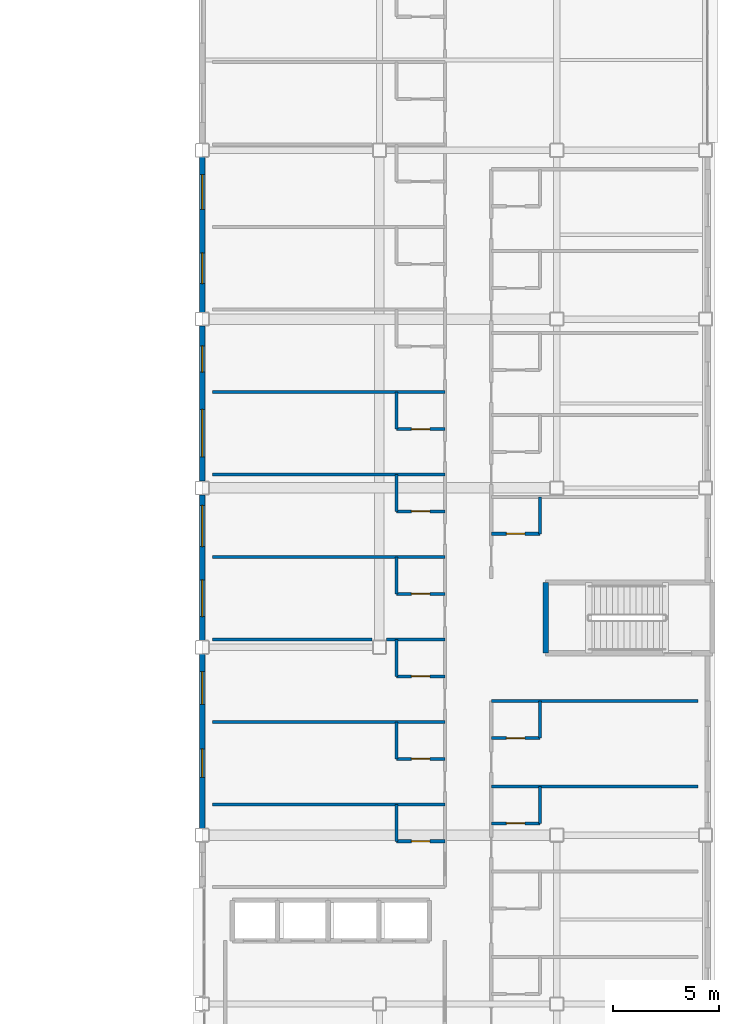
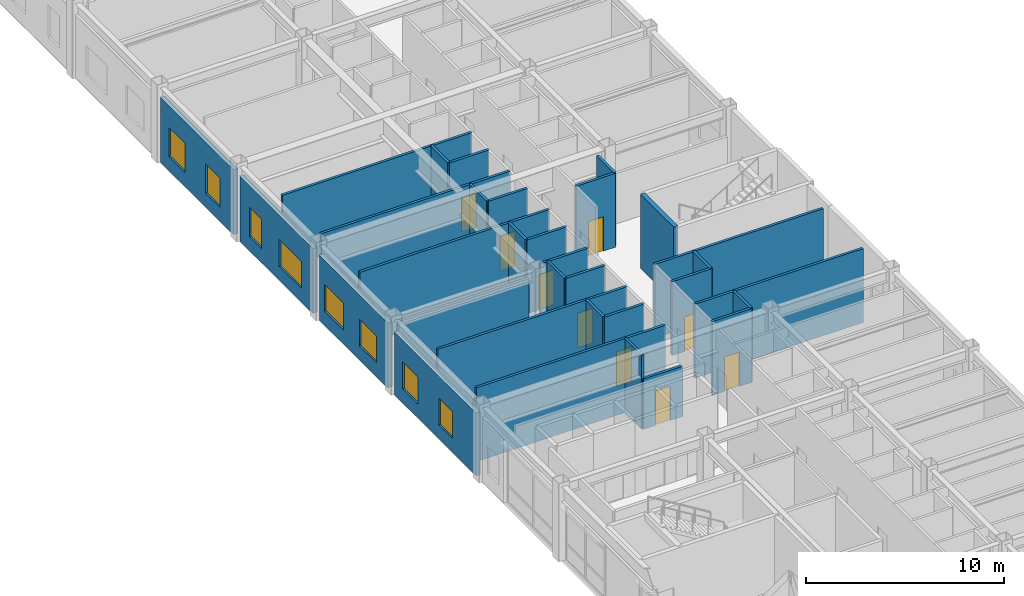
# One storey, part 79 of 93: 32 walls, 9 doors, 8 windows, 17 openings.
"""IFC4 building model written with IfcOpenShell, lengths in metres."""

from ifc_helpers import new_model, si_unit, direction, frame, frame_2d, origin, place, context, subcontext, project, spatial, rectangle, extrude, material, layer, layer_set, type_object, element, fill, save


model = new_model("IFC4")

# Units and contexts
model_context = context("Model", 3, precision=1e-05, world=origin(), true_north=direction((0.0, 1.0)))
body_context = subcontext(model_context, "Body", "Model", "MODEL_VIEW")
ifc_project = project(units=[si_unit("LENGTHUNIT", "METRE"), si_unit("AREAUNIT", "SQUARE_METRE"), si_unit("VOLUMEUNIT", "CUBIC_METRE"), si_unit("PLANEANGLEUNIT", "RADIAN"), si_unit("MASSUNIT", "GRAM", prefix="KILO")], contexts=[model_context])

# Site, building, storey
site_placement = place(None, origin())
site = spatial("IfcSite", under=ifc_project, at=site_placement, CompositionType="ELEMENT")
building_placement = place(site_placement, origin())
building = spatial("IfcBuilding", under=site, at=building_placement, Name="Kazehara Bluff Congress Hotel", CompositionType="ELEMENT")
storey_placement = place(building_placement, frame((0.0, 0.0, 15.0)))
storey = spatial("IfcBuildingStorey", under=building, at=storey_placement, Name="L03", CompositionType="ELEMENT", Elevation=15.0)

# Wall
ifc_material_1 = material(Name="Concrete C40/50", Category="concrete")
ifc_layer_1 = layer(ifc_material_1, 0.25)
ifc_layer_set_1 = layer_set([ifc_layer_1], Name="Concrete C40/50")
wall_type_1 = type_object("IfcWallType", Name="TP-CW-RC", PredefinedType="SHEAR", material=ifc_layer_set_1)
wall_1_placement = place(storey_placement, frame((159.97509765625, 73.074951171875, 0.0), z_axis=(0.0, 0.0, 1.0), x_axis=(0.0, 1.0, 0.0)))
element("IfcWall", 1, at=wall_1_placement, inside=storey, type_object=wall_type_1, Name="L03 ST-12 core wall far", PredefinedType="SHEAR", context=body_context, shape_type="SweptSolid", body=[
    extrude(rectangle(XDim=3.35009765625, YDim=0.25, at=frame_2d((1.675048828125, 0.0))), origin(), (0.0, 0.0, 1.0), 4.56005859375),
])

# Wall, openings, windows
ifc_material_2 = material(Name="Precast concrete C40/50", Category="concrete")
ifc_layer_2 = layer(ifc_material_2, 0.260009765625)
ifc_layer_set_2 = layer_set([ifc_layer_2], Name="Precast concrete C40/50")
wall_type_2 = type_object("IfcWallType", Name="TP-EW-260", PredefinedType="SOLIDWALL", material=ifc_layer_set_2)
wall_2_placement = place(storey_placement, frame((143.699951171875, 64.77490234375, 0.0), z_axis=(0.0, 0.0, 1.0), x_axis=(0.0, 1.0, 0.0)))
wall_2 = element("IfcWall", 2, at=wall_2_placement, inside=storey, type_object=wall_type_2, Name="L03 hotel facade panel 18", PredefinedType="SOLIDWALL", context=body_context, shape_type="SweptSolid", body=[
    extrude(rectangle(XDim=8.25, YDim=0.260009765625, at=frame_2d((4.125, 0.0))), origin(), (0.0, 0.0, 1.0), 3.8349609375),
])
opening_1_placement = place(wall_2_placement, frame((2.409912109375, 0.0, 0.85009765625)))
opening_1 = element("IfcOpeningElement", 3, at=opening_1_placement, cuts=wall_2, Name="Opening WN-13", PredefinedType="OPENING", context=body_context, shape_type="SweptSolid", body=[
    extrude(rectangle(XDim=1.35009765625, YDim=1.64990234375, at=frame_2d((0.675048828125, 0.824951171875))), frame((0.0, 0.139892578125, 0.0), z_axis=(0.0, -1.0, 0.0), x_axis=(1.0, 0.0, 0.0)), (0.0, 0.0, 1.0), 0.280029296875),
])
opening_2_placement = place(wall_2_placement, frame((5.8701171875, 0.0, 0.85009765625)))
opening_2 = element("IfcOpeningElement", 4, at=opening_2_placement, cuts=wall_2, Name="Opening WN-23", PredefinedType="OPENING", context=body_context, shape_type="SweptSolid", body=[
    extrude(rectangle(XDim=1.550048828125, YDim=1.64990234375, at=frame_2d((0.77490234375, 0.824951171875))), frame((0.0, 0.139892578125, 0.0), z_axis=(0.0, -1.0, 0.0), x_axis=(1.0, 0.0, 0.0)), (0.0, 0.0, 1.0), 0.280029296875),
])
ifc_material_3 = material(Name="Insulated low-E double glazing", Category="glass")
window_type_1 = type_object("IfcWindowType", Name="TP-WN-13", PartitioningType="SINGLE_PANEL", PredefinedType="WINDOW", material=ifc_material_3)
window_1_placement = place(opening_1_placement, origin())
window_1 = element("IfcWindow", 5, at=window_1_placement, inside=storey, type_object=window_type_1, Name="L03 guestroom window WN-13 19", OverallHeight=1.64990234375, OverallWidth=1.35009765625, PartitioningType="SINGLE_PANEL", PredefinedType="WINDOW", context=body_context, shape_type="SweptSolid", body=[
    extrude(rectangle(XDim=1.35009765625, YDim=1.64990234375, at=frame_2d((0.675048828125, 0.824951171875))), frame((0.0, 0.030029296875, 0.0), z_axis=(0.0, -1.0, 0.0), x_axis=(1.0, 0.0, 0.0)), (0.0, 0.0, 1.0), 0.06005859375),
])
fill(opening_1, window_1)
ifc_material_4 = material(Name="Insulated low-E double glazing", Category="glass")
window_type_2 = type_object("IfcWindowType", Name="TP-WN-23", PartitioningType="SINGLE_PANEL", PredefinedType="WINDOW", material=ifc_material_4)
window_2_placement = place(opening_2_placement, origin())
window_2 = element("IfcWindow", 6, at=window_2_placement, inside=storey, type_object=window_type_2, Name="L03 guestroom window WN-23 20", OverallHeight=1.64990234375, OverallWidth=1.550048828125, PartitioningType="SINGLE_PANEL", PredefinedType="WINDOW", context=body_context, shape_type="SweptSolid", body=[
    extrude(rectangle(XDim=1.550048828125, YDim=1.64990234375, at=frame_2d((0.77490234375, 0.824951171875))), frame((0.0, 0.030029296875, 0.0), z_axis=(0.0, -1.0, 0.0), x_axis=(1.0, 0.0, 0.0)), (0.0, 0.0, 1.0), 0.06005859375),
])
fill(opening_2, window_2)

wall_3_placement = place(storey_placement, frame((143.699951171875, 73.675048828125, 0.0), z_axis=(0.0, 0.0, 1.0), x_axis=(0.0, 1.0, 0.0)))
wall_3 = element("IfcWall", 7, at=wall_3_placement, inside=storey, type_object=wall_type_2, Name="L03 hotel facade panel 19", PredefinedType="SOLIDWALL", context=body_context, shape_type="SweptSolid", body=[
    extrude(rectangle(XDim=6.89990234375, YDim=0.260009765625, at=frame_2d((3.449951171875, 0.0))), origin(), (0.0, 0.0, 1.0), 3.985107421875),
])
opening_3_placement = place(wall_3_placement, frame((1.125, 0.0, 0.85009765625)))
opening_3 = element("IfcOpeningElement", 8, at=opening_3_placement, cuts=wall_3, Name="Opening WN-33", PredefinedType="OPENING", context=body_context, shape_type="SweptSolid", body=[
    extrude(rectangle(XDim=1.75, YDim=1.64990234375, at=frame_2d((0.875, 0.824951171875))), frame((0.0, 0.139892578125, 0.0), z_axis=(0.0, -1.0, 0.0), x_axis=(1.0, 0.0, 0.0)), (0.0, 0.0, 1.0), 0.280029296875),
])
opening_4_placement = place(wall_3_placement, frame((4.449951171875, 0.0, 0.85009765625)))
opening_4 = element("IfcOpeningElement", 9, at=opening_4_placement, cuts=wall_3, Name="Opening WN-43", PredefinedType="OPENING", context=body_context, shape_type="SweptSolid", body=[
    extrude(rectangle(XDim=1.949951171875, YDim=1.64990234375, at=frame_2d((0.97509765625, 0.824951171875))), frame((0.0, 0.139892578125, 0.0), z_axis=(0.0, -1.0, 0.0), x_axis=(1.0, 0.0, 0.0)), (0.0, 0.0, 1.0), 0.280029296875),
])
ifc_material_5 = material(Name="Insulated low-E double glazing", Category="glass")
window_type_3 = type_object("IfcWindowType", Name="TP-WN-33", PartitioningType="SINGLE_PANEL", PredefinedType="WINDOW", material=ifc_material_5)
window_3_placement = place(opening_3_placement, origin())
window_3 = element("IfcWindow", 10, at=window_3_placement, inside=storey, type_object=window_type_3, Name="L03 guestroom window WN-33 21", OverallHeight=1.64990234375, OverallWidth=1.75, PartitioningType="SINGLE_PANEL", PredefinedType="WINDOW", context=body_context, shape_type="SweptSolid", body=[
    extrude(rectangle(XDim=1.75, YDim=1.64990234375, at=frame_2d((0.875, 0.824951171875))), frame((0.0, 0.030029296875, 0.0), z_axis=(0.0, -1.0, 0.0), x_axis=(1.0, 0.0, 0.0)), (0.0, 0.0, 1.0), 0.06005859375),
])
fill(opening_3, window_3)
ifc_material_6 = material(Name="Insulated low-E double glazing", Category="glass")
window_type_4 = type_object("IfcWindowType", Name="TP-WN-43", PartitioningType="DOUBLE_PANEL_VERTICAL", PredefinedType="WINDOW", material=ifc_material_6)
window_4_placement = place(opening_4_placement, origin())
window_4 = element("IfcWindow", 11, at=window_4_placement, inside=storey, type_object=window_type_4, Name="L03 guestroom window WN-43 22", OverallHeight=1.64990234375, OverallWidth=1.949951171875, PartitioningType="SINGLE_PANEL", PredefinedType="WINDOW", context=body_context, shape_type="SweptSolid", body=[
    extrude(rectangle(XDim=1.949951171875, YDim=1.64990234375, at=frame_2d((0.97509765625, 0.824951171875))), frame((0.0, 0.030029296875, 0.0), z_axis=(0.0, -1.0, 0.0), x_axis=(1.0, 0.0, 0.0)), (0.0, 0.0, 1.0), 0.06005859375),
])
fill(opening_4, window_4)

wall_4_placement = place(storey_placement, frame((143.699951171875, 81.22509765625, 0.0), z_axis=(0.0, 0.0, 1.0), x_axis=(0.0, 1.0, 0.0)))
wall_4 = element("IfcWall", 12, at=wall_4_placement, inside=storey, type_object=wall_type_2, Name="L03 hotel facade panel 20", PredefinedType="SOLIDWALL", context=body_context, shape_type="SweptSolid", body=[
    extrude(rectangle(XDim=7.349853515625, YDim=0.260009765625, at=frame_2d((3.6748046875, 0.0))), origin(), (0.0, 0.0, 1.0), 3.985107421875),
])
opening_5_placement = place(wall_4_placement, frame((1.14501953125, 0.0, 0.85009765625)))
opening_5 = element("IfcOpeningElement", 13, at=opening_5_placement, cuts=wall_4, Name="Opening WN-53", PredefinedType="OPENING", context=body_context, shape_type="SweptSolid", body=[
    extrude(rectangle(XDim=2.25, YDim=1.64990234375, at=frame_2d((1.125, 0.824951171875))), frame((0.0, 0.139892578125, 0.0), z_axis=(0.0, -1.0, 0.0), x_axis=(1.0, 0.0, 0.0)), (0.0, 0.0, 1.0), 0.280029296875),
])
opening_6_placement = place(wall_4_placement, frame((5.159912109375, 0.0, 0.85009765625)))
opening_6 = element("IfcOpeningElement", 14, at=opening_6_placement, cuts=wall_4, Name="Opening WN-09", PredefinedType="OPENING", context=body_context, shape_type="SweptSolid", body=[
    extrude(rectangle(XDim=1.25, YDim=1.800048828125, at=frame_2d((0.625, 0.89990234375))), frame((0.0, 0.139892578125, 0.0), z_axis=(0.0, -1.0, 0.0), x_axis=(1.0, 0.0, 0.0)), (0.0, 0.0, 1.0), 0.280029296875),
])
ifc_material_7 = material(Name="Insulated low-E double glazing", Category="glass")
window_type_5 = type_object("IfcWindowType", Name="TP-WN-09", PartitioningType="SINGLE_PANEL", PredefinedType="WINDOW", material=ifc_material_7)
window_5_placement = place(opening_6_placement, origin())
window_5 = element("IfcWindow", 15, at=window_5_placement, inside=storey, type_object=window_type_5, Name="L03 guestroom window WN-09 24", OverallHeight=1.800048828125, OverallWidth=1.25, PartitioningType="SINGLE_PANEL", PredefinedType="WINDOW", context=body_context, shape_type="SweptSolid", body=[
    extrude(rectangle(XDim=1.25, YDim=1.800048828125, at=frame_2d((0.625, 0.89990234375))), frame((0.0, 0.030029296875, 0.0), z_axis=(0.0, -1.0, 0.0), x_axis=(1.0, 0.0, 0.0)), (0.0, 0.0, 1.0), 0.06005859375),
])
fill(opening_6, window_5)
ifc_material_8 = material(Name="Insulated low-E double glazing", Category="glass")
window_type_6 = type_object("IfcWindowType", Name="TP-WN-53", PartitioningType="DOUBLE_PANEL_VERTICAL", PredefinedType="WINDOW", material=ifc_material_8)
window_6_placement = place(opening_5_placement, origin())
window_6 = element("IfcWindow", 16, at=window_6_placement, inside=storey, type_object=window_type_6, Name="L03 guestroom window WN-53 23", OverallHeight=1.64990234375, OverallWidth=2.25, PartitioningType="SINGLE_PANEL", PredefinedType="WINDOW", context=body_context, shape_type="SweptSolid", body=[
    extrude(rectangle(XDim=2.25, YDim=1.64990234375, at=frame_2d((1.125, 0.824951171875))), frame((0.0, 0.030029296875, 0.0), z_axis=(0.0, -1.0, 0.0), x_axis=(1.0, 0.0, 0.0)), (0.0, 0.0, 1.0), 0.06005859375),
])
fill(opening_5, window_6)

wall_5_placement = place(storey_placement, frame((143.699951171875, 89.22509765625, 0.0), z_axis=(0.0, 0.0, 1.0), x_axis=(0.0, 1.0, 0.0)))
wall_5 = element("IfcWall", 17, at=wall_5_placement, inside=storey, type_object=wall_type_2, Name="L03 hotel facade panel 21", PredefinedType="SOLIDWALL", context=body_context, shape_type="SweptSolid", body=[
    extrude(rectangle(XDim=7.349853515625, YDim=0.260009765625, at=frame_2d((3.6748046875, 0.0))), origin(), (0.0, 0.0, 1.0), 3.985107421875),
])
opening_7_placement = place(wall_5_placement, frame((1.360107421875, 0.0, 0.85009765625)))
opening_7 = element("IfcOpeningElement", 18, at=opening_7_placement, cuts=wall_5, Name="Opening WN-19", PredefinedType="OPENING", context=body_context, shape_type="SweptSolid", body=[
    extrude(rectangle(XDim=1.449951171875, YDim=1.800048828125, at=frame_2d((0.72509765625, 0.89990234375))), frame((0.0, 0.139892578125, 0.0), z_axis=(0.0, -1.0, 0.0), x_axis=(1.0, 0.0, 0.0)), (0.0, 0.0, 1.0), 0.280029296875),
])
opening_8_placement = place(wall_5_placement, frame((4.8701171875, 0.0, 0.85009765625)))
opening_8 = element("IfcOpeningElement", 19, at=opening_8_placement, cuts=wall_5, Name="Opening WN-29", PredefinedType="OPENING", context=body_context, shape_type="SweptSolid", body=[
    extrude(rectangle(XDim=1.64990234375, YDim=1.800048828125, at=frame_2d((0.824951171875, 0.89990234375))), frame((0.0, 0.139892578125, 0.0), z_axis=(0.0, -1.0, 0.0), x_axis=(1.0, 0.0, 0.0)), (0.0, 0.0, 1.0), 0.280029296875),
])
ifc_material_9 = material(Name="Insulated low-E double glazing", Category="glass")
window_type_7 = type_object("IfcWindowType", Name="TP-WN-19", PartitioningType="SINGLE_PANEL", PredefinedType="WINDOW", material=ifc_material_9)
window_7_placement = place(opening_7_placement, origin())
window_7 = element("IfcWindow", 20, at=window_7_placement, inside=storey, type_object=window_type_7, Name="L03 guestroom window WN-19 25", OverallHeight=1.800048828125, OverallWidth=1.449951171875, PartitioningType="SINGLE_PANEL", PredefinedType="WINDOW", context=body_context, shape_type="SweptSolid", body=[
    extrude(rectangle(XDim=1.449951171875, YDim=1.800048828125, at=frame_2d((0.72509765625, 0.89990234375))), frame((0.0, 0.030029296875, 0.0), z_axis=(0.0, -1.0, 0.0), x_axis=(1.0, 0.0, 0.0)), (0.0, 0.0, 1.0), 0.06005859375),
])
fill(opening_7, window_7)
ifc_material_10 = material(Name="Insulated low-E double glazing", Category="glass")
window_type_8 = type_object("IfcWindowType", Name="TP-WN-29", PartitioningType="SINGLE_PANEL", PredefinedType="WINDOW", material=ifc_material_10)
window_8_placement = place(opening_8_placement, origin())
window_8 = element("IfcWindow", 21, at=window_8_placement, inside=storey, type_object=window_type_8, Name="L03 guestroom window WN-29 26", OverallHeight=1.800048828125, OverallWidth=1.64990234375, PartitioningType="SINGLE_PANEL", PredefinedType="WINDOW", context=body_context, shape_type="SweptSolid", body=[
    extrude(rectangle(XDim=1.64990234375, YDim=1.800048828125, at=frame_2d((0.824951171875, 0.89990234375))), frame((0.0, 0.030029296875, 0.0), z_axis=(0.0, -1.0, 0.0), x_axis=(1.0, 0.0, 0.0)), (0.0, 0.0, 1.0), 0.06005859375),
])
fill(opening_8, window_8)

# Wall, opening, door
ifc_material_11 = material(Name="Fire-rated gypsum board stud partition")
ifc_layer_3 = layer(ifc_material_11, 0.14990234375)
ifc_layer_set_3 = layer_set([ifc_layer_3], Name="Fire-rated gypsum board stud partition")
wall_type_3 = type_object("IfcWallType", Name="TP-PT-150", PredefinedType="PARTITIONING", material=ifc_layer_set_3)
wall_6_placement = place(storey_placement, frame((152.89990234375, 64.159912109375, 0.0), z_axis=(0.0, 0.0, 1.0), x_axis=(1.0, 0.0, 0.0)))
wall_6 = element("IfcWall", 22, at=wall_6_placement, inside=storey, type_object=wall_type_3, Name="L03 partition PT-150 280", PredefinedType="PARTITIONING", context=body_context, shape_type="SweptSolid", body=[
    extrude(rectangle(XDim=2.300048828125, YDim=0.14990234375, at=frame_2d((1.14990234375, 0.0))), origin(), (0.0, 0.0, 1.0), 3.094970703125),
])
opening_9_placement = place(wall_6_placement, frame((0.7099609375, 0.0, 0.0)))
opening_9 = element("IfcOpeningElement", 23, at=opening_9_placement, cuts=wall_6, Name="Opening BD-02", PredefinedType="OPENING", context=body_context, shape_type="SweptSolid", body=[
    extrude(rectangle(XDim=0.8798828125, YDim=2.1201171875, at=frame_2d((0.43994140625, 1.06005859375))), frame((0.0, 0.0849609375, 0.0), z_axis=(0.0, -1.0, 0.0), x_axis=(1.0, 0.0, 0.0)), (0.0, 0.0, 1.0), 0.169921875),
])
ifc_material_12 = material(Name="Architectural oak veneer leaf")
door_type = type_object("IfcDoorType", Name="TP-BD-02", OperationType="NOTDEFINED", PredefinedType="DOOR", material=ifc_material_12)
door_1_placement = place(opening_9_placement, origin())
door_1 = element("IfcDoor", 24, at=door_1_placement, inside=storey, type_object=door_type, Name="L03 En-suite Bathroom 1 door", OperationType="SINGLE_SWING_LEFT", OverallHeight=2.1201171875, OverallWidth=0.8798828125, PredefinedType="DOOR", context=body_context, shape_type="SweptSolid", body=[
    extrude(rectangle(XDim=0.8798828125, YDim=2.1201171875, at=frame_2d((0.43994140625, 1.06005859375))), frame((0.0, 0.02490234375, 0.0), z_axis=(0.0, -1.0, 0.0), x_axis=(1.0, 0.0, 0.0)), (0.0, 0.0, 1.0), 0.050048828125),
])
fill(opening_9, door_1)

wall_7_placement = place(storey_placement, frame((157.39990234375, 65.010009765625, 0.0), z_axis=(0.0, 0.0, 1.0), x_axis=(1.0, 0.0, 0.0)))
wall_7 = element("IfcWall", 25, at=wall_7_placement, inside=storey, type_object=wall_type_3, Name="L03 partition PT-150 281", PredefinedType="PARTITIONING", context=body_context, shape_type="SweptSolid", body=[
    extrude(rectangle(XDim=2.300048828125, YDim=0.14990234375, at=frame_2d((1.14990234375, 0.0))), origin(), (0.0, 0.0, 1.0), 4.544921875),
])
opening_10_placement = place(wall_7_placement, frame((0.7099609375, 0.0, 0.0)))
opening_10 = element("IfcOpeningElement", 26, at=opening_10_placement, cuts=wall_7, Name="Opening BD-02", PredefinedType="OPENING", context=body_context, shape_type="SweptSolid", body=[
    extrude(rectangle(XDim=0.8798828125, YDim=2.1201171875, at=frame_2d((0.43994140625, 1.06005859375))), frame((0.0, 0.0849609375, 0.0), z_axis=(0.0, -1.0, 0.0), x_axis=(1.0, 0.0, 0.0)), (0.0, 0.0, 1.0), 0.169921875),
])
door_2_placement = place(opening_10_placement, origin())
door_2 = element("IfcDoor", 27, at=door_2_placement, inside=storey, type_object=door_type, Name="L03 En-suite Bathroom 24 door", OperationType="SINGLE_SWING_LEFT", OverallHeight=2.1201171875, OverallWidth=0.8798828125, PredefinedType="DOOR", context=body_context, shape_type="SweptSolid", body=[
    extrude(rectangle(XDim=0.8798828125, YDim=2.1201171875, at=frame_2d((0.43994140625, 1.06005859375))), frame((0.0, 0.02490234375, 0.0), z_axis=(0.0, -1.0, 0.0), x_axis=(1.0, 0.0, 0.0)), (0.0, 0.0, 1.0), 0.050048828125),
])
fill(opening_10, door_2)

# Walls
wall_8_placement = place(storey_placement, frame((144.199951171875, 65.909912109375, 0.0), z_axis=(0.0, 0.0, 1.0), x_axis=(1.0, 0.0, 0.0)))
element("IfcWall", 28, at=wall_8_placement, inside=storey, type_object=wall_type_3, Name="L03 partition PT-150 282", PredefinedType="PARTITIONING", context=body_context, shape_type="SweptSolid", body=[
    extrude(rectangle(XDim=11.0, YDim=0.14990234375, at=frame_2d((5.5, 0.0))), origin(), (0.0, 0.0, 1.0), 4.544921875),
])
wall_9_placement = place(storey_placement, frame((157.39990234375, 66.760009765625, 0.0), z_axis=(0.0, 0.0, 1.0), x_axis=(1.0, 0.0, 0.0)))
element("IfcWall", 29, at=wall_9_placement, inside=storey, type_object=wall_type_3, Name="L03 partition PT-150 283", PredefinedType="PARTITIONING", context=body_context, shape_type="SweptSolid", body=[
    extrude(rectangle(XDim=9.800048828125, YDim=0.14990234375, at=frame_2d((4.89990234375, 0.0))), origin(), (0.0, 0.0, 1.0), 4.544921875),
])

# Wall, opening, door
wall_10_placement = place(storey_placement, frame((152.89990234375, 68.06005859375, 0.0), z_axis=(0.0, 0.0, 1.0), x_axis=(1.0, 0.0, 0.0)))
wall_10 = element("IfcWall", 30, at=wall_10_placement, inside=storey, type_object=wall_type_3, Name="L03 partition PT-150 284", PredefinedType="PARTITIONING", context=body_context, shape_type="SweptSolid", body=[
    extrude(rectangle(XDim=2.300048828125, YDim=0.14990234375, at=frame_2d((1.14990234375, 0.0))), origin(), (0.0, 0.0, 1.0), 4.544921875),
])
opening_11_placement = place(wall_10_placement, frame((0.7099609375, 0.0, 0.0)))
opening_11 = element("IfcOpeningElement", 31, at=opening_11_placement, cuts=wall_10, Name="Opening BD-02", PredefinedType="OPENING", context=body_context, shape_type="SweptSolid", body=[
    extrude(rectangle(XDim=0.8798828125, YDim=2.1201171875, at=frame_2d((0.43994140625, 1.06005859375))), frame((0.0, 0.0849609375, 0.0), z_axis=(0.0, -1.0, 0.0), x_axis=(1.0, 0.0, 0.0)), (0.0, 0.0, 1.0), 0.169921875),
])
door_3_placement = place(opening_11_placement, origin())
door_3 = element("IfcDoor", 32, at=door_3_placement, inside=storey, type_object=door_type, Name="L03 En-suite Bathroom 2 door", OperationType="SINGLE_SWING_LEFT", OverallHeight=2.1201171875, OverallWidth=0.8798828125, PredefinedType="DOOR", context=body_context, shape_type="SweptSolid", body=[
    extrude(rectangle(XDim=0.8798828125, YDim=2.1201171875, at=frame_2d((0.43994140625, 1.06005859375))), frame((0.0, 0.02490234375, 0.0), z_axis=(0.0, -1.0, 0.0), x_axis=(1.0, 0.0, 0.0)), (0.0, 0.0, 1.0), 0.050048828125),
])
fill(opening_11, door_3)

wall_11_placement = place(storey_placement, frame((157.39990234375, 69.050048828125, 0.0), z_axis=(0.0, 0.0, 1.0), x_axis=(1.0, 0.0, 0.0)))
wall_11 = element("IfcWall", 33, at=wall_11_placement, inside=storey, type_object=wall_type_3, Name="L03 partition PT-150 285", PredefinedType="PARTITIONING", context=body_context, shape_type="SweptSolid", body=[
    extrude(rectangle(XDim=2.300048828125, YDim=0.14990234375, at=frame_2d((1.14990234375, 0.0))), origin(), (0.0, 0.0, 1.0), 4.544921875),
])
opening_12_placement = place(wall_11_placement, frame((0.7099609375, 0.0, 0.0)))
opening_12 = element("IfcOpeningElement", 34, at=opening_12_placement, cuts=wall_11, Name="Opening BD-02", PredefinedType="OPENING", context=body_context, shape_type="SweptSolid", body=[
    extrude(rectangle(XDim=0.8798828125, YDim=2.1201171875, at=frame_2d((0.43994140625, 1.06005859375))), frame((0.0, 0.0849609375, 0.0), z_axis=(0.0, -1.0, 0.0), x_axis=(1.0, 0.0, 0.0)), (0.0, 0.0, 1.0), 0.169921875),
])
door_4_placement = place(opening_12_placement, origin())
door_4 = element("IfcDoor", 35, at=door_4_placement, inside=storey, type_object=door_type, Name="L03 En-suite Bathroom 25 door", OperationType="SINGLE_SWING_LEFT", OverallHeight=2.1201171875, OverallWidth=0.8798828125, PredefinedType="DOOR", context=body_context, shape_type="SweptSolid", body=[
    extrude(rectangle(XDim=0.8798828125, YDim=2.1201171875, at=frame_2d((0.43994140625, 1.06005859375))), frame((0.0, 0.02490234375, 0.0), z_axis=(0.0, -1.0, 0.0), x_axis=(1.0, 0.0, 0.0)), (0.0, 0.0, 1.0), 0.050048828125),
])
fill(opening_12, door_4)

# Walls
wall_12_placement = place(storey_placement, frame((144.199951171875, 69.81005859375, 0.0), z_axis=(0.0, 0.0, 1.0), x_axis=(1.0, 0.0, 0.0)))
element("IfcWall", 36, at=wall_12_placement, inside=storey, type_object=wall_type_3, Name="L03 partition PT-150 286", PredefinedType="PARTITIONING", context=body_context, shape_type="SweptSolid", body=[
    extrude(rectangle(XDim=11.0, YDim=0.14990234375, at=frame_2d((5.5, 0.0))), origin(), (0.0, 0.0, 1.0), 4.544921875),
])
wall_13_placement = place(storey_placement, frame((157.39990234375, 70.800048828125, 0.0), z_axis=(0.0, 0.0, 1.0), x_axis=(1.0, 0.0, 0.0)))
element("IfcWall", 37, at=wall_13_placement, inside=storey, type_object=wall_type_3, Name="L03 partition PT-150 287", PredefinedType="PARTITIONING", context=body_context, shape_type="SweptSolid", body=[
    extrude(rectangle(XDim=9.800048828125, YDim=0.14990234375, at=frame_2d((4.89990234375, 0.0))), origin(), (0.0, 0.0, 1.0), 4.544921875),
])

# Wall, opening, door
wall_14_placement = place(storey_placement, frame((152.89990234375, 71.969970703125, 0.0), z_axis=(0.0, 0.0, 1.0), x_axis=(1.0, 0.0, 0.0)))
wall_14 = element("IfcWall", 38, at=wall_14_placement, inside=storey, type_object=wall_type_3, Name="L03 partition PT-150 288", PredefinedType="PARTITIONING", context=body_context, shape_type="SweptSolid", body=[
    extrude(rectangle(XDim=2.300048828125, YDim=0.14990234375, at=frame_2d((1.14990234375, 0.0))), origin(), (0.0, 0.0, 1.0), 4.544921875),
])
opening_13_placement = place(wall_14_placement, frame((0.7099609375, 0.0, 0.0)))
opening_13 = element("IfcOpeningElement", 39, at=opening_13_placement, cuts=wall_14, Name="Opening BD-02", PredefinedType="OPENING", context=body_context, shape_type="SweptSolid", body=[
    extrude(rectangle(XDim=0.8798828125, YDim=2.1201171875, at=frame_2d((0.43994140625, 1.06005859375))), frame((0.0, 0.0849609375, 0.0), z_axis=(0.0, -1.0, 0.0), x_axis=(1.0, 0.0, 0.0)), (0.0, 0.0, 1.0), 0.169921875),
])
door_5_placement = place(opening_13_placement, origin())
door_5 = element("IfcDoor", 40, at=door_5_placement, inside=storey, type_object=door_type, Name="L03 En-suite Bathroom 3 door", OperationType="SINGLE_SWING_LEFT", OverallHeight=2.1201171875, OverallWidth=0.8798828125, PredefinedType="DOOR", context=body_context, shape_type="SweptSolid", body=[
    extrude(rectangle(XDim=0.8798828125, YDim=2.1201171875, at=frame_2d((0.43994140625, 1.06005859375))), frame((0.0, 0.02490234375, 0.0), z_axis=(0.0, -1.0, 0.0), x_axis=(1.0, 0.0, 0.0)), (0.0, 0.0, 1.0), 0.050048828125),
])
fill(opening_13, door_5)

# Walls
wall_15_placement = place(storey_placement, frame((144.199951171875, 73.719970703125, 0.0), z_axis=(0.0, 0.0, 1.0), x_axis=(1.0, 0.0, 0.0)))
element("IfcWall", 41, at=wall_15_placement, inside=storey, type_object=wall_type_3, Name="L03 partition PT-150 289", PredefinedType="PARTITIONING", context=body_context, shape_type="SweptSolid", body=[
    extrude(rectangle(XDim=7.554931640625, YDim=0.14990234375, at=frame_2d((3.77734375, 0.0))), origin(), (0.0, 0.0, 1.0), 3.885009765625),
])
wall_16_placement = place(storey_placement, frame((152.445068359375, 73.719970703125, 0.0), z_axis=(0.0, 0.0, 1.0), x_axis=(1.0, 0.0, 0.0)))
element("IfcWall", 42, at=wall_16_placement, inside=storey, type_object=wall_type_3, Name="L03 partition PT-150 290", PredefinedType="PARTITIONING", context=body_context, shape_type="SweptSolid", body=[
    extrude(rectangle(XDim=2.7548828125, YDim=0.14990234375, at=frame_2d((1.37744140625, 0.0))), origin(), (0.0, 0.0, 1.0), 4.544921875),
])

# Wall, opening, door
wall_17_placement = place(storey_placement, frame((152.89990234375, 75.8798828125, 0.0), z_axis=(0.0, 0.0, 1.0), x_axis=(1.0, 0.0, 0.0)))
wall_17 = element("IfcWall", 43, at=wall_17_placement, inside=storey, type_object=wall_type_3, Name="L03 partition PT-150 291", PredefinedType="PARTITIONING", context=body_context, shape_type="SweptSolid", body=[
    extrude(rectangle(XDim=2.300048828125, YDim=0.14990234375, at=frame_2d((1.14990234375, 0.0))), origin(), (0.0, 0.0, 1.0), 4.544921875),
])
opening_14_placement = place(wall_17_placement, frame((0.7099609375, 0.0, 0.0)))
opening_14 = element("IfcOpeningElement", 44, at=opening_14_placement, cuts=wall_17, Name="Opening BD-02", PredefinedType="OPENING", context=body_context, shape_type="SweptSolid", body=[
    extrude(rectangle(XDim=0.8798828125, YDim=2.1201171875, at=frame_2d((0.43994140625, 1.06005859375))), frame((0.0, 0.0849609375, 0.0), z_axis=(0.0, -1.0, 0.0), x_axis=(1.0, 0.0, 0.0)), (0.0, 0.0, 1.0), 0.169921875),
])
door_6_placement = place(opening_14_placement, origin())
door_6 = element("IfcDoor", 45, at=door_6_placement, inside=storey, type_object=door_type, Name="L03 En-suite Bathroom 4 door", OperationType="SINGLE_SWING_LEFT", OverallHeight=2.1201171875, OverallWidth=0.8798828125, PredefinedType="DOOR", context=body_context, shape_type="SweptSolid", body=[
    extrude(rectangle(XDim=0.8798828125, YDim=2.1201171875, at=frame_2d((0.43994140625, 1.06005859375))), frame((0.0, 0.02490234375, 0.0), z_axis=(0.0, -1.0, 0.0), x_axis=(1.0, 0.0, 0.0)), (0.0, 0.0, 1.0), 0.050048828125),
])
fill(opening_14, door_6)

# Wall
wall_18_placement = place(storey_placement, frame((144.199951171875, 77.6298828125, 0.0), z_axis=(0.0, 0.0, 1.0), x_axis=(1.0, 0.0, 0.0)))
element("IfcWall", 46, at=wall_18_placement, inside=storey, type_object=wall_type_3, Name="L03 partition PT-150 292", PredefinedType="PARTITIONING", context=body_context, shape_type="SweptSolid", body=[
    extrude(rectangle(XDim=11.0, YDim=0.14990234375, at=frame_2d((5.5, 0.0))), origin(), (0.0, 0.0, 1.0), 4.544921875),
])

# Wall, opening, door
wall_19_placement = place(storey_placement, frame((157.39990234375, 78.72998046875, 0.0), z_axis=(0.0, 0.0, 1.0), x_axis=(1.0, 0.0, 0.0)))
wall_19 = element("IfcWall", 47, at=wall_19_placement, inside=storey, type_object=wall_type_3, Name="L03 partition PT-150 293", PredefinedType="PARTITIONING", context=body_context, shape_type="SweptSolid", body=[
    extrude(rectangle(XDim=2.300048828125, YDim=0.14990234375, at=frame_2d((1.14990234375, 0.0))), origin(), (0.0, 0.0, 1.0), 4.544921875),
])
opening_15_placement = place(wall_19_placement, frame((0.7099609375, 0.0, 0.0)))
opening_15 = element("IfcOpeningElement", 48, at=opening_15_placement, cuts=wall_19, Name="Opening BD-02", PredefinedType="OPENING", context=body_context, shape_type="SweptSolid", body=[
    extrude(rectangle(XDim=0.8798828125, YDim=2.1201171875, at=frame_2d((0.43994140625, 1.06005859375))), frame((0.0, 0.0849609375, 0.0), z_axis=(0.0, -1.0, 0.0), x_axis=(1.0, 0.0, 0.0)), (0.0, 0.0, 1.0), 0.169921875),
])
door_7_placement = place(opening_15_placement, origin())
door_7 = element("IfcDoor", 49, at=door_7_placement, inside=storey, type_object=door_type, Name="L03 En-suite Bathroom 26 door", OperationType="SINGLE_SWING_LEFT", OverallHeight=2.1201171875, OverallWidth=0.8798828125, PredefinedType="DOOR", context=body_context, shape_type="SweptSolid", body=[
    extrude(rectangle(XDim=0.8798828125, YDim=2.1201171875, at=frame_2d((0.43994140625, 1.06005859375))), frame((0.0, 0.02490234375, 0.0), z_axis=(0.0, -1.0, 0.0), x_axis=(1.0, 0.0, 0.0)), (0.0, 0.0, 1.0), 0.050048828125),
])
fill(opening_15, door_7)

wall_20_placement = place(storey_placement, frame((152.89990234375, 79.7900390625, 0.0), z_axis=(0.0, 0.0, 1.0), x_axis=(1.0, 0.0, 0.0)))
wall_20 = element("IfcWall", 50, at=wall_20_placement, inside=storey, type_object=wall_type_3, Name="L03 partition PT-150 294", PredefinedType="PARTITIONING", context=body_context, shape_type="SweptSolid", body=[
    extrude(rectangle(XDim=2.300048828125, YDim=0.14990234375, at=frame_2d((1.14990234375, 0.0))), origin(), (0.0, 0.0, 1.0), 4.544921875),
])
opening_16_placement = place(wall_20_placement, frame((0.7099609375, 0.0, 0.0)))
opening_16 = element("IfcOpeningElement", 51, at=opening_16_placement, cuts=wall_20, Name="Opening BD-02", PredefinedType="OPENING", context=body_context, shape_type="SweptSolid", body=[
    extrude(rectangle(XDim=0.8798828125, YDim=2.1201171875, at=frame_2d((0.43994140625, 1.06005859375))), frame((0.0, 0.0849609375, 0.0), z_axis=(0.0, -1.0, 0.0), x_axis=(1.0, 0.0, 0.0)), (0.0, 0.0, 1.0), 0.169921875),
])
door_8_placement = place(opening_16_placement, origin())
door_8 = element("IfcDoor", 52, at=door_8_placement, inside=storey, type_object=door_type, Name="L03 En-suite Bathroom 5 door", OperationType="SINGLE_SWING_LEFT", OverallHeight=2.1201171875, OverallWidth=0.8798828125, PredefinedType="DOOR", context=body_context, shape_type="SweptSolid", body=[
    extrude(rectangle(XDim=0.8798828125, YDim=2.1201171875, at=frame_2d((0.43994140625, 1.06005859375))), frame((0.0, 0.02490234375, 0.0), z_axis=(0.0, -1.0, 0.0), x_axis=(1.0, 0.0, 0.0)), (0.0, 0.0, 1.0), 0.050048828125),
])
fill(opening_16, door_8)

# Wall
wall_21_placement = place(storey_placement, frame((144.199951171875, 81.5400390625, 0.0), z_axis=(0.0, 0.0, 1.0), x_axis=(1.0, 0.0, 0.0)))
element("IfcWall", 53, at=wall_21_placement, inside=storey, type_object=wall_type_3, Name="L03 partition PT-150 296", PredefinedType="PARTITIONING", context=body_context, shape_type="SweptSolid", body=[
    extrude(rectangle(XDim=11.0, YDim=0.14990234375, at=frame_2d((5.5, 0.0))), origin(), (0.0, 0.0, 1.0), 4.544921875),
])

# Wall, opening, door
wall_22_placement = place(storey_placement, frame((152.89990234375, 83.68994140625, 0.0), z_axis=(0.0, 0.0, 1.0), x_axis=(1.0, 0.0, 0.0)))
wall_22 = element("IfcWall", 54, at=wall_22_placement, inside=storey, type_object=wall_type_3, Name="L03 partition PT-150 298", PredefinedType="PARTITIONING", context=body_context, shape_type="SweptSolid", body=[
    extrude(rectangle(XDim=2.300048828125, YDim=0.14990234375, at=frame_2d((1.14990234375, 0.0))), origin(), (0.0, 0.0, 1.0), 4.544921875),
])
opening_17_placement = place(wall_22_placement, frame((0.7099609375, 0.0, 0.0)))
opening_17 = element("IfcOpeningElement", 55, at=opening_17_placement, cuts=wall_22, Name="Opening BD-02", PredefinedType="OPENING", context=body_context, shape_type="SweptSolid", body=[
    extrude(rectangle(XDim=0.8798828125, YDim=2.1201171875, at=frame_2d((0.43994140625, 1.06005859375))), frame((0.0, 0.0849609375, 0.0), z_axis=(0.0, -1.0, 0.0), x_axis=(1.0, 0.0, 0.0)), (0.0, 0.0, 1.0), 0.169921875),
])
door_9_placement = place(opening_17_placement, origin())
door_9 = element("IfcDoor", 56, at=door_9_placement, inside=storey, type_object=door_type, Name="L03 En-suite Bathroom 6 door", OperationType="SINGLE_SWING_LEFT", OverallHeight=2.1201171875, OverallWidth=0.8798828125, PredefinedType="DOOR", context=body_context, shape_type="SweptSolid", body=[
    extrude(rectangle(XDim=0.8798828125, YDim=2.1201171875, at=frame_2d((0.43994140625, 1.06005859375))), frame((0.0, 0.02490234375, 0.0), z_axis=(0.0, -1.0, 0.0), x_axis=(1.0, 0.0, 0.0)), (0.0, 0.0, 1.0), 0.050048828125),
])
fill(opening_17, door_9)

# Walls
wall_23_placement = place(storey_placement, frame((144.199951171875, 85.43994140625, 0.0), z_axis=(0.0, 0.0, 1.0), x_axis=(1.0, 0.0, 0.0)))
element("IfcWall", 57, at=wall_23_placement, inside=storey, type_object=wall_type_3, Name="L03 partition PT-150 300", PredefinedType="PARTITIONING", context=body_context, shape_type="SweptSolid", body=[
    extrude(rectangle(XDim=11.0, YDim=0.14990234375, at=frame_2d((5.5, 0.0))), origin(), (0.0, 0.0, 1.0), 4.544921875),
])
for number, where, z_axis, x_axis, name in (
    (58, (152.89990234375, 64.159912109375, 0.0), (0.0, 0.0, 1.0), (0.0, 1.0, 0.0), "L03 partition PT-150 330"),
    (59, (152.89990234375, 68.06494140625, 0.0), (0.0, 0.0, 1.0), (0.0, 1.0, 0.0), "L03 partition PT-150 331"),
    (60, (152.89990234375, 71.97509765625, 0.0), (0.0, 0.0, 1.0), (0.0, 1.0, 0.0), "L03 partition PT-150 332"),
    (61, (152.89990234375, 75.8798828125, 0.0), (0.0, 0.0, 1.0), (0.0, 1.0, 0.0), "L03 partition PT-150 333"),
    (62, (152.89990234375, 79.7900390625, 0.0), (0.0, 0.0, 1.0), (0.0, 1.0, 0.0), "L03 partition PT-150 334"),
    (63, (152.89990234375, 83.695068359375, 0.0), (0.0, 0.0, 1.0), (0.0, 1.0, 0.0), "L03 partition PT-150 335"),
    (64, (159.699951171875, 65.010009765625, 0.0), (0.0, 0.0, 1.0), (0.0, 1.0, 0.0), "L03 partition PT-150 361"),
    (65, (159.699951171875, 69.050048828125, 0.0), (0.0, 0.0, 1.0), (0.0, 1.0, 0.0), "L03 partition PT-150 362"),
    (66, (159.699951171875, 78.72998046875, 0.0), (0.0, 0.0, 1.0), (0.0, 1.0, 0.0), "L03 partition PT-150 363"),
):
    element("IfcWall", number, at=place(storey_placement, frame(where, z_axis=z_axis, x_axis=x_axis)), inside=storey, type_object=wall_type_3, Name=name, PredefinedType="PARTITIONING", context=body_context, shape_type="SweptSolid", body=[
        extrude(rectangle(XDim=1.75, YDim=0.14990234375, at=frame_2d((0.875, 0.0))), origin(), (0.0, 0.0, 1.0), 4.544921875),
    ])

save(model, "model.ifc")
